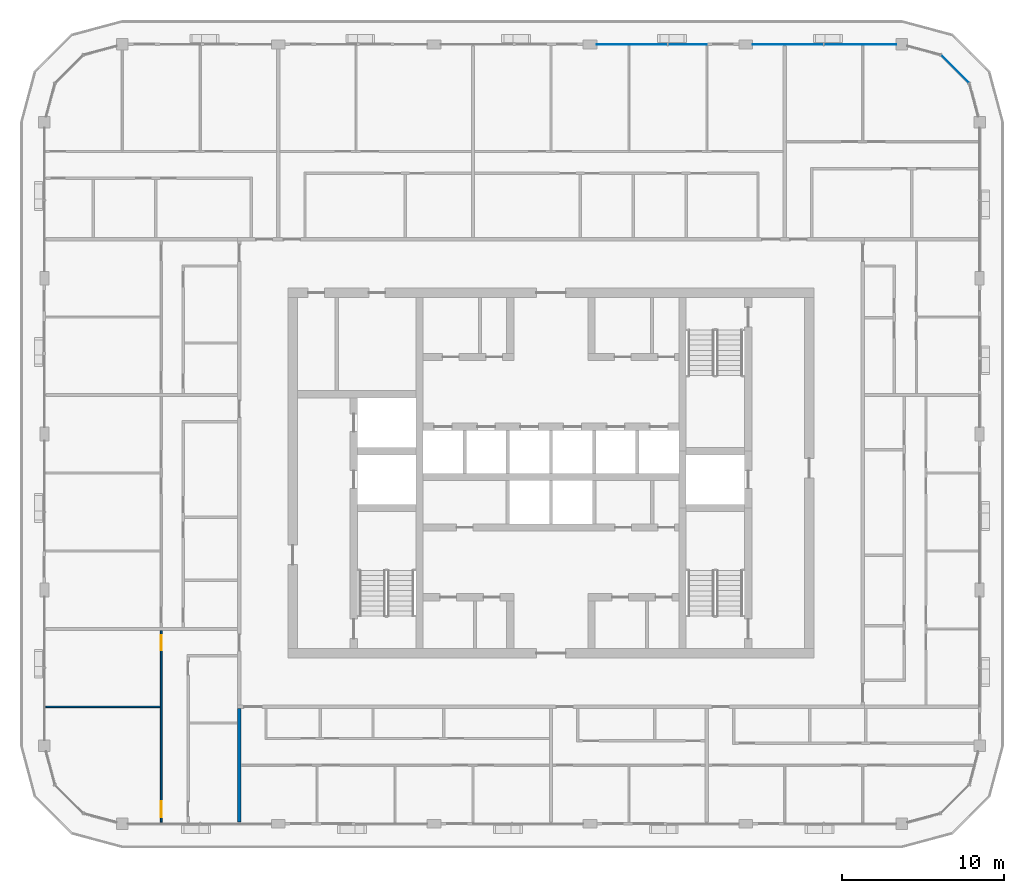
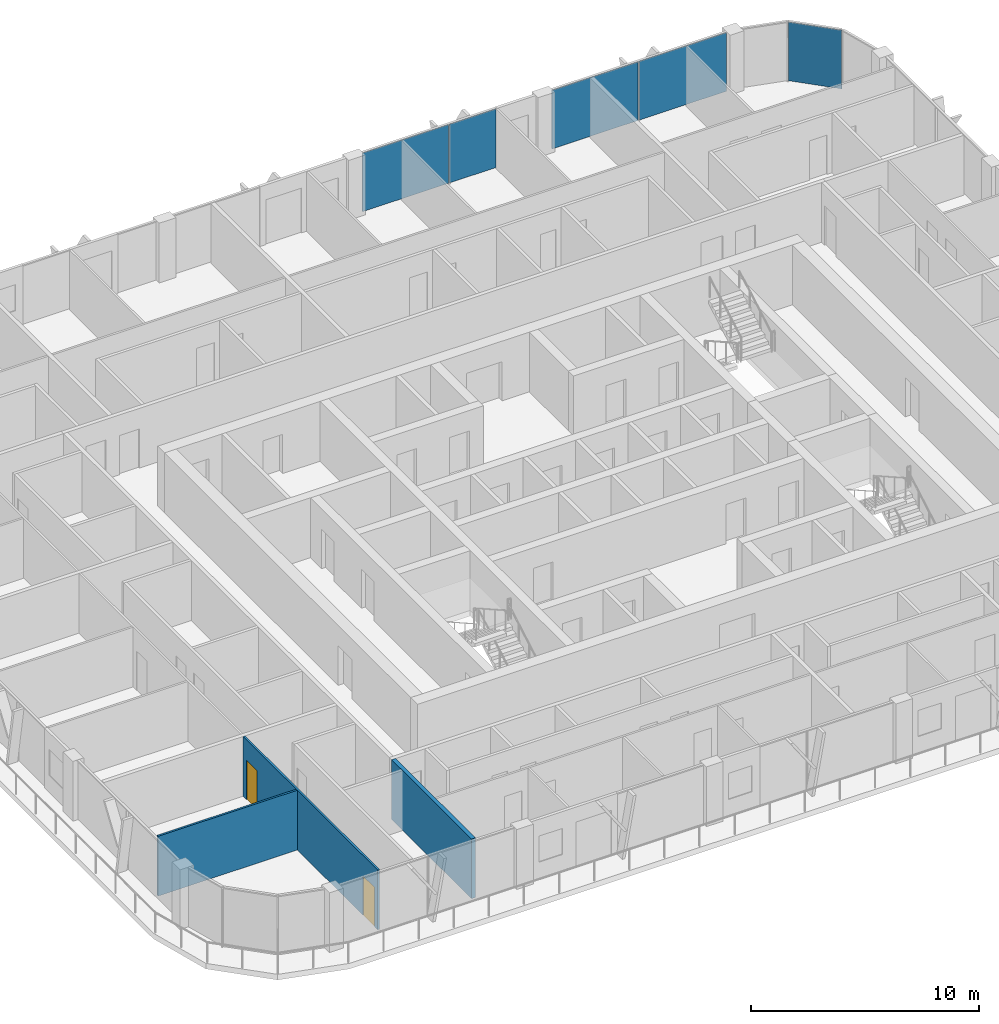
# One storey, part 8 of 21: 5 plates, 3 walls, 2 doors, 2 openings, 3 elements without a shape of their own.
"""IFC4 building model written with IfcOpenShell, lengths in metres."""

from ifc_helpers import new_model, si_unit, direction, frame, frame_2d, origin, origin_2d, place, context, subcontext, project, spatial, rectangle, extrude, material, layer, layer_set, type_object, element, fill, aggregate, save


model = new_model("IFC4")

# Units and contexts
model_context = context("Model", 3, precision=1e-05, world=origin(), true_north=direction((0.0, 1.0)))
body_context = subcontext(model_context, "Body", "Model", "MODEL_VIEW")
ifc_project = project(units=[si_unit("LENGTHUNIT", "METRE"), si_unit("AREAUNIT", "SQUARE_METRE"), si_unit("VOLUMEUNIT", "CUBIC_METRE"), si_unit("PLANEANGLEUNIT", "RADIAN"), si_unit("MASSUNIT", "GRAM", prefix="KILO")], contexts=[model_context])

# Site, building, storey
site_placement = place(None, origin())
site = spatial("IfcSite", under=ifc_project, at=site_placement, CompositionType="ELEMENT")
building_placement = place(site_placement, origin())
building = spatial("IfcBuilding", under=site, at=building_placement, Name="Madar Terraces", CompositionType="ELEMENT")
storey_placement = place(building_placement, frame((0.0, 0.0, 238.699951171875)))
storey = spatial("IfcBuildingStorey", under=building, at=storey_placement, Name="L62", CompositionType="ELEMENT", Elevation=238.699951171875)

# Curtain wall, plates
ifc_material_1 = material(Name="Glass, ceramic frit dark grey, with black aluminium frame", Category="aluminium")
ifc_layer_1 = layer(ifc_material_1, 0.199951171875)
ifc_layer_set_1 = layer_set([ifc_layer_1], Name="Facade curtain wall, fritted glass")
curtain_wall_type = type_object("IfcCurtainWallType", Name="Facade curtain wall, fritted glass", PredefinedType="NOTDEFINED", material=ifc_layer_set_1)
curtain_wall_1_placement = place(storey_placement, origin())
curtain_wall_1 = element("IfcCurtainWall", 1, at=curtain_wall_1_placement, inside=storey, type_object=curtain_wall_type, Name="Outer skin curtain wall north bay 1", PredefinedType="NOTDEFINED")
ifc_material_2 = material(Name="Glass, ceramic frit dark grey", Category="glass")
ifc_layer_2 = layer(ifc_material_2, 0.028076171875)
ifc_layer_set_2 = layer_set([ifc_layer_2], Name="Facade glass panel 28")
plate_type = type_object("IfcPlateType", Name="Facade glass panel 28", PredefinedType="CURTAIN_PANEL", material=ifc_layer_set_2)
plate_1_placement = place(storey_placement, frame((50.239990234375, 52.800048828125, 0.0), z_axis=(0.0, 0.0, 1.0), x_axis=(-1.0, 0.0, 0.0)))
plate_1 = element("IfcPlate", 2, at=plate_1_placement, type_object=plate_type, Name="Panel 1", PredefinedType="CURTAIN_PANEL", context=body_context, shape_type="SweptSolid", body=[
    extrude(rectangle(XDim=4.419921875, YDim=0.028076171875, at=origin_2d()), origin(), (0.0, 0.0, 1.0), 3.139892578125),
])
plate_2_placement = place(storey_placement, frame((45.797607421875, 52.800048828125, 0.0), z_axis=(0.0, 0.0, 1.0), x_axis=(-1.0, 0.0, 0.0)))
plate_2 = element("IfcPlate", 3, at=plate_2_placement, type_object=plate_type, Name="Panel 2", PredefinedType="CURTAIN_PANEL", context=body_context, shape_type="SweptSolid", body=[
    extrude(rectangle(XDim=4.344970703125, YDim=0.028076171875, at=origin_2d()), origin(), (0.0, 0.0, 1.0), 3.139892578125),
])
aggregate(curtain_wall_1, [plate_1, plate_2])

curtain_wall_2_placement = place(storey_placement, origin())
curtain_wall_2 = element("IfcCurtainWall", 4, at=curtain_wall_2_placement, inside=storey, type_object=curtain_wall_type, Name="Outer skin curtain wall north bay 2", PredefinedType="NOTDEFINED")
plate_3_placement = place(storey_placement, frame((39.614990234375, 52.800048828125, 0.0), z_axis=(0.0, 0.0, 1.0), x_axis=(-1.0, 0.0, 0.0)))
plate_3 = element("IfcPlate", 5, at=plate_3_placement, type_object=plate_type, Name="Panel 1", PredefinedType="CURTAIN_PANEL", context=body_context, shape_type="SweptSolid", body=[
    extrude(rectangle(XDim=2.3701171875, YDim=0.028076171875, at=origin_2d()), origin(), (0.0, 0.0, 1.0), 3.139892578125),
])
plate_4_placement = place(storey_placement, frame((36.197509765625, 52.800048828125, 0.0), z_axis=(0.0, 0.0, 1.0), x_axis=(-1.0, 0.0, 0.0)))
plate_4 = element("IfcPlate", 6, at=plate_4_placement, type_object=plate_type, Name="Panel 2", PredefinedType="CURTAIN_PANEL", context=body_context, shape_type="SweptSolid", body=[
    extrude(rectangle(XDim=4.344970703125, YDim=0.028076171875, at=origin_2d()), origin(), (0.0, 0.0, 1.0), 3.139892578125),
])
aggregate(curtain_wall_2, [plate_3, plate_4])

# Curtain wall, plate
curtain_wall_3_placement = place(storey_placement, origin())
curtain_wall_3 = element("IfcCurtainWall", 7, at=curtain_wall_3_placement, inside=storey, type_object=curtain_wall_type, Name="Outer skin curtain wall north-east corner", PredefinedType="NOTDEFINED")
plate_5_placement = place(storey_placement, frame((56.078369140625, 51.278564453125, 0.0), z_axis=(0.0, 0.0, 1.0), x_axis=(-0.707106781187, 0.707106781187, 0.0)))
plate_5 = element("IfcPlate", 8, at=plate_5_placement, type_object=plate_type, Name="Panel 2", PredefinedType="CURTAIN_PANEL", context=body_context, shape_type="SweptSolid", body=[
    extrude(rectangle(XDim=2.424560546875, YDim=0.028076171875, at=origin_2d()), origin(), (0.0, 0.0, 1.0), 3.139892578125),
])
aggregate(curtain_wall_3, [plate_5])

# Wall
ifc_material_3 = material(Name="Gypsum board on steel studs", Category="steel")
ifc_layer_3 = layer(ifc_material_3, 0.10009765625)
ifc_layer_set_3 = layer_set([ifc_layer_3], Name="Flat partition 100")
wall_type_1 = type_object("IfcWallType", Name="Flat partition 100", PredefinedType="PARTITIONING", material=ifc_layer_set_3)
wall_1_placement = place(storey_placement, frame((7.14990234375, 12.0, 0.0), z_axis=(0.0, 0.0, 1.0), x_axis=(-1.0, 0.0, 0.0)))
element("IfcWall", 9, at=wall_1_placement, inside=storey, type_object=wall_type_1, Name="Flat partition 100", PredefinedType="PARTITIONING", context=body_context, shape_type="SweptSolid", body=[
    extrude(rectangle(XDim=7.0498046875, YDim=0.10009765625, at=frame_2d((3.52490234375, 0.0))), origin(), (0.0, 0.0, 1.0), 3.199951171875),
])

# Wall, openings, doors
wall_2_placement = place(storey_placement, frame((7.199951171875, 4.89990234375, 0.0), z_axis=(0.0, 0.0, 1.0), x_axis=(0.0, 1.0, 0.0)))
wall_2 = element("IfcWall", 10, at=wall_2_placement, inside=storey, type_object=wall_type_1, Name="Flat partition 100", PredefinedType="PARTITIONING", context=body_context, shape_type="SweptSolid", body=[
    extrude(rectangle(XDim=11.800048828125, YDim=0.10009765625, at=frame_2d((5.89990234375, 0.0))), origin(), (0.0, 0.0, 1.0), 3.199951171875),
])
opening_1_placement = place(wall_2_placement, frame((10.60009765625, 0.0, 0.0)))
opening_1 = element("IfcOpeningElement", 11, at=opening_1_placement, cuts=wall_2, Name="Opening D2", PredefinedType="OPENING", context=body_context, shape_type="SweptSolid", body=[
    extrude(rectangle(XDim=0.89990234375, YDim=2.10009765625, at=frame_2d((0.449951171875, 1.050048828125))), frame((0.0, 0.06005859375, 0.0), z_axis=(0.0, -1.0, 0.0), x_axis=(1.0, 0.0, 0.0)), (0.0, 0.0, 1.0), 0.1201171875),
])
opening_2_placement = place(wall_2_placement, frame((0.300048828125, 0.0, 0.0)))
opening_2 = element("IfcOpeningElement", 12, at=opening_2_placement, cuts=wall_2, Name="Opening D3", PredefinedType="OPENING", context=body_context, shape_type="SweptSolid", body=[
    extrude(rectangle(XDim=1.0, YDim=2.10009765625, at=frame_2d((0.5, 1.050048828125))), frame((0.0, 0.06005859375, 0.0), z_axis=(0.0, -1.0, 0.0), x_axis=(1.0, 0.0, 0.0)), (0.0, 0.0, 1.0), 0.1201171875),
])
ifc_material_4 = material(Name="Timber door leaf", Category="wood")
door_type_1 = type_object("IfcDoorType", Name="Flat living room door 1000", OperationType="NOTDEFINED", PredefinedType="DOOR", material=ifc_material_4)
door_1_placement = place(opening_2_placement, origin())
door_1 = element("IfcDoor", 13, at=door_1_placement, inside=storey, type_object=door_type_1, Name="Flat living room door 1000", OperationType="SINGLE_SWING_LEFT", OverallHeight=2.10009765625, OverallWidth=1.0, PredefinedType="DOOR", context=body_context, shape_type="SweptSolid", body=[
    extrude(rectangle(XDim=1.0, YDim=2.10009765625, at=frame_2d((0.5, 1.050048828125))), frame((0.0, 0.02490234375, 0.0), z_axis=(0.0, -1.0, 0.0), x_axis=(1.0, 0.0, 0.0)), (0.0, 0.0, 1.0), 0.050048828125),
])
fill(opening_2, door_1)
ifc_material_5 = material(Name="Timber door leaf", Category="wood")
door_type_2 = type_object("IfcDoorType", Name="Flat room door 900", OperationType="NOTDEFINED", PredefinedType="DOOR", material=ifc_material_5)
door_2_placement = place(opening_1_placement, origin())
door_2 = element("IfcDoor", 14, at=door_2_placement, inside=storey, type_object=door_type_2, Name="Flat room door 900", OperationType="SINGLE_SWING_RIGHT", OverallHeight=2.10009765625, OverallWidth=0.89990234375, PredefinedType="DOOR", context=body_context, shape_type="SweptSolid", body=[
    extrude(rectangle(XDim=0.89990234375, YDim=2.10009765625, at=frame_2d((0.449951171875, 1.050048828125))), frame((0.0, 0.02490234375, 0.0), z_axis=(0.0, -1.0, 0.0), x_axis=(1.0, 0.0, 0.0)), (0.0, 0.0, 1.0), 0.050048828125),
])
fill(opening_1, door_2)

# Wall
ifc_material_6 = material(Name="Lightweight blockwork", Category="masonry")
ifc_layer_4 = layer(ifc_material_6, 0.199951171875)
ifc_layer_set_4 = layer_set([ifc_layer_4], Name="Flat party and entrance wall 200")
wall_type_2 = type_object("IfcWallType", Name="Flat party and entrance wall 200", PredefinedType="PARTITIONING", material=ifc_layer_set_4)
wall_3_placement = place(storey_placement, frame((12.0, 4.89990234375, 0.0), z_axis=(0.0, 0.0, 1.0), x_axis=(0.0, 1.0, 0.0)))
element("IfcWall", 15, at=wall_3_placement, inside=storey, type_object=wall_type_2, Name="Flat party and entrance wall 200", PredefinedType="PARTITIONING", context=body_context, shape_type="SweptSolid", body=[
    extrude(rectangle(XDim=7.0, YDim=0.199951171875, at=frame_2d((3.5, 0.0))), origin(), (0.0, 0.0, 1.0), 3.199951171875),
])

save(model, "model.ifc")
